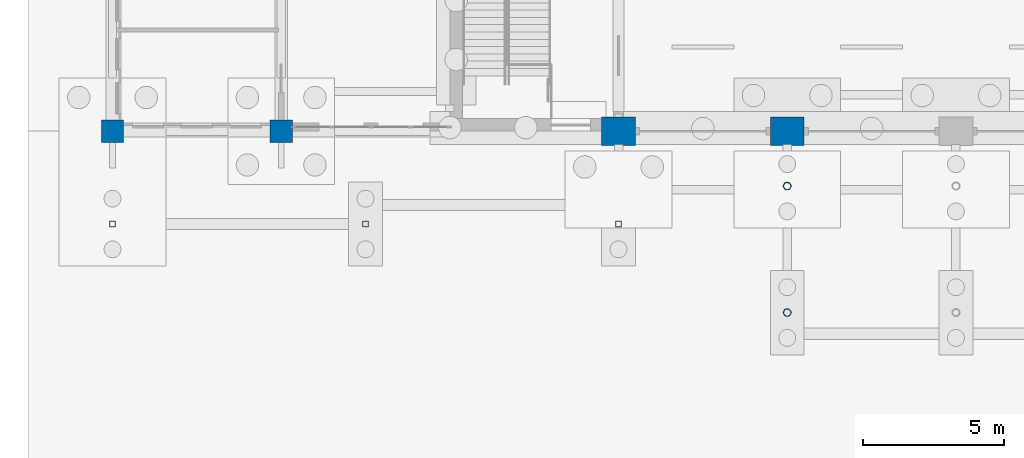
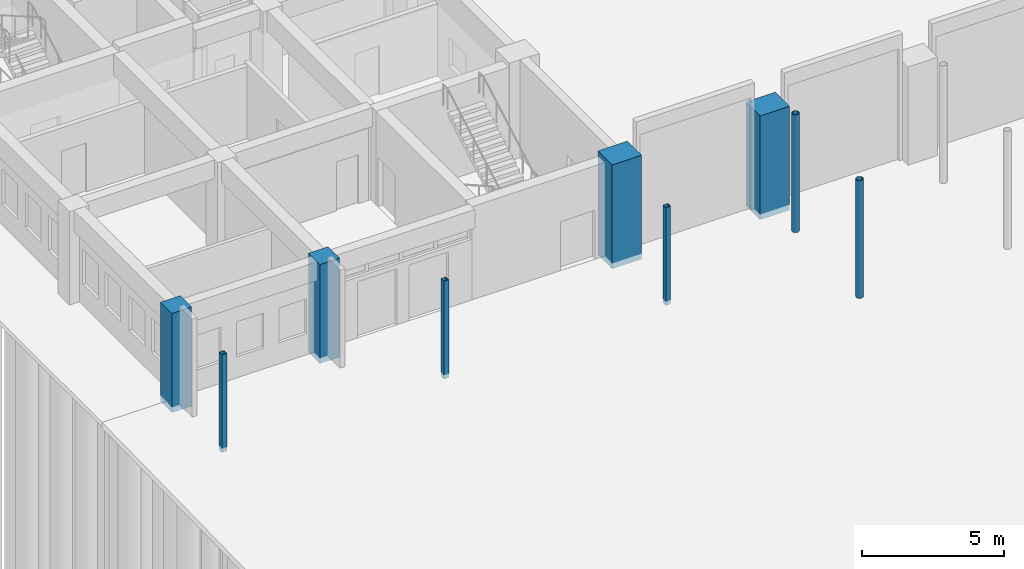
# One storey, part 8 of 37: 9 columns.
"""IFC4 building model written with IfcOpenShell, lengths in metres."""

from ifc_helpers import new_model, si_unit, direction, frame, origin, origin_2d, place, context, subcontext, project, spatial, rectangle, hollow_rectangle, hollow_circle, extrude, material, material_profile, profile_set, type_object, element, save


model = new_model("IFC4")

# Units and contexts
model_context = context("Model", 3, precision=1e-05, world=origin(), true_north=direction((0.0, 1.0)))
body_context = subcontext(model_context, "Body", "Model", "MODEL_VIEW")
ifc_project = project(units=[si_unit("LENGTHUNIT", "METRE"), si_unit("AREAUNIT", "SQUARE_METRE"), si_unit("VOLUMEUNIT", "CUBIC_METRE"), si_unit("PLANEANGLEUNIT", "RADIAN"), si_unit("MASSUNIT", "GRAM", prefix="KILO")], contexts=[model_context])

# Site, building, storey
site_placement = place(None, origin())
site = spatial("IfcSite", under=ifc_project, at=site_placement, CompositionType="ELEMENT")
building_placement = place(site_placement, origin())
building = spatial("IfcBuilding", under=site, at=building_placement, Name="Laocheng Heights Fire and Rescue Headquarters", CompositionType="ELEMENT")
storey_placement = place(building_placement, origin())
storey = spatial("IfcBuildingStorey", under=building, at=storey_placement, Name="L00", CompositionType="ELEMENT", Elevation=0.0)

# Columns
ifc_material_1 = material(Name="Steel Q355B", Category="steel")
ifc_material_profile_1 = material_profile(ifc_material_1, hollow_circle(Radius=0.136474609375, WallThickness=0.011962890625, at=origin_2d()), Name="CHS 273x12")
ifc_profile_set_1 = profile_set([ifc_material_profile_1], Name="Steel Q355B")
column_type_1 = type_object("IfcColumnType", Name="APRON CANOPY COLUMN CHS 273x12", PredefinedType="COLUMN", material=ifc_profile_set_1)
column_1_placement = place(storey_placement, frame((24.0, -6.449951171875, -0.12890625), z_axis=(0.0, 0.0, 1.0), x_axis=(1.0, 0.0, 0.0)))
element("IfcColumn", 1, at=column_1_placement, inside=storey, type_object=column_type_1, Name="Apron canopy column", PredefinedType="COLUMN", context=body_context, shape_type="SweptSolid", body=[
    extrude(hollow_circle(Radius=0.136474609375, WallThickness=0.011962890625, at=origin_2d()), origin(), (0.0, 0.0, 1.0), 5.049072265625),
])
column_2_placement = place(storey_placement, frame((24.0, -1.949951171875, -0.0390625), z_axis=(0.0, 0.0, 1.0), x_axis=(1.0, 0.0, 0.0)))
element("IfcColumn", 2, at=column_2_placement, inside=storey, type_object=column_type_1, Name="Apron canopy column", PredefinedType="COLUMN", context=body_context, shape_type="SweptSolid", body=[
    extrude(hollow_circle(Radius=0.136474609375, WallThickness=0.011962890625, at=origin_2d()), origin(), (0.0, 0.0, 1.0), 5.04931640625),
])
ifc_material_2 = material(Name="Concrete C60", Category="concrete")
ifc_material_profile_2 = material_profile(ifc_material_2, rectangle(XDim=1.199951171875, YDim=1.0, at=origin_2d()), Name="RC COLUMN 1200x1000 BAY PIER")
ifc_profile_set_2 = profile_set([ifc_material_profile_2], Name="Concrete C60")
column_type_2 = type_object("IfcColumnType", Name="RC COLUMN 1200x1000 BAY PIER", PredefinedType="COLUMN", material=ifc_profile_set_2)
for number, where, z_axis, x_axis, name in (
    (3, (18.0, 0.0, -0.25), (0.0, 0.0, 1.0), (1.0, 0.0, 0.0), "Bay pier 4/A"),
    (4, (24.0, 0.0, -0.25), (0.0, 0.0, 1.0), (1.0, 0.0, 0.0), "Bay pier 5/A"),
):
    element("IfcColumn", number, at=place(storey_placement, frame(where, z_axis=z_axis, x_axis=x_axis)), inside=storey, type_object=column_type_2, Name=name, PredefinedType="COLUMN", context=body_context, shape_type="SweptSolid", body=[
        extrude(rectangle(XDim=1.199951171875, YDim=1.0, at=origin_2d()), origin(), (0.0, 0.0, 1.0), 4.449951171875),
    ])
ifc_material_3 = material(Name="Concrete C50", Category="concrete")
ifc_material_profile_3 = material_profile(ifc_material_3, rectangle(XDim=0.800048828125, YDim=0.800048828125, at=origin_2d()), Name="RC COLUMN 800x800 PAVILION")
ifc_profile_set_3 = profile_set([ifc_material_profile_3], Name="Concrete C50")
column_type_3 = type_object("IfcColumnType", Name="RC COLUMN 800x800 PAVILION", PredefinedType="COLUMN", material=ifc_profile_set_3)
for number, where, z_axis, x_axis, name in (
    (5, (0.0, 0.0, -0.25), (0.0, 0.0, 1.0), (1.0, 0.0, 0.0), "Pavilion column"),
    (6, (6.0, 0.0, -0.25), (0.0, 0.0, 1.0), (1.0, 0.0, 0.0), "Pavilion column"),
):
    element("IfcColumn", number, at=place(storey_placement, frame(where, z_axis=z_axis, x_axis=x_axis)), inside=storey, type_object=column_type_3, Name=name, PredefinedType="COLUMN", context=body_context, shape_type="SweptSolid", body=[
        extrude(rectangle(XDim=0.800048828125, YDim=0.800048828125, at=origin_2d()), origin(), (0.0, 0.0, 1.0), 4.25),
    ])
ifc_material_4 = material(Name="Steel Q355B", Category="steel")
ifc_material_profile_4 = material_profile(ifc_material_4, hollow_rectangle(XDim=0.199951171875, YDim=0.199951171875, WallThickness=0.008056640625, at=origin_2d()), Name="RHS 200x200x8")
ifc_profile_set_4 = profile_set([ifc_material_profile_4], Name="Steel Q355B")
column_type_4 = type_object("IfcColumnType", Name="RHS 200x200x8 CANOPY COLUMN", PredefinedType="COLUMN", material=ifc_profile_set_4)
for number, where, z_axis, x_axis, name in (
    (7, (0.0, -3.300048828125, -0.25), (0.0, 0.0, 1.0), (1.0, 0.0, 0.0), "Canopy column"),
    (8, (9.0, -3.300048828125, -0.25), (0.0, 0.0, 1.0), (1.0, 0.0, 0.0), "Canopy column"),
    (9, (18.0, -3.300048828125, -0.25), (0.0, 0.0, 1.0), (1.0, 0.0, 0.0), "Canopy column"),
):
    element("IfcColumn", number, at=place(storey_placement, frame(where, z_axis=z_axis, x_axis=x_axis)), inside=storey, type_object=column_type_4, Name=name, PredefinedType="COLUMN", context=body_context, shape_type="SweptSolid", body=[
        extrude(hollow_rectangle(XDim=0.199951171875, YDim=0.199951171875, WallThickness=0.008056640625, at=origin_2d()), origin(), (0.0, 0.0, 1.0), 4.199951171875),
    ])

save(model, "model.ifc")
